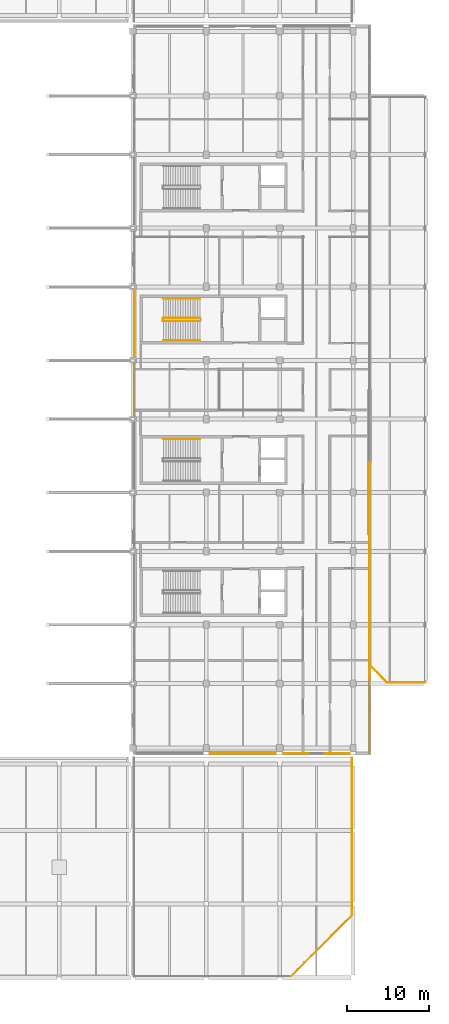
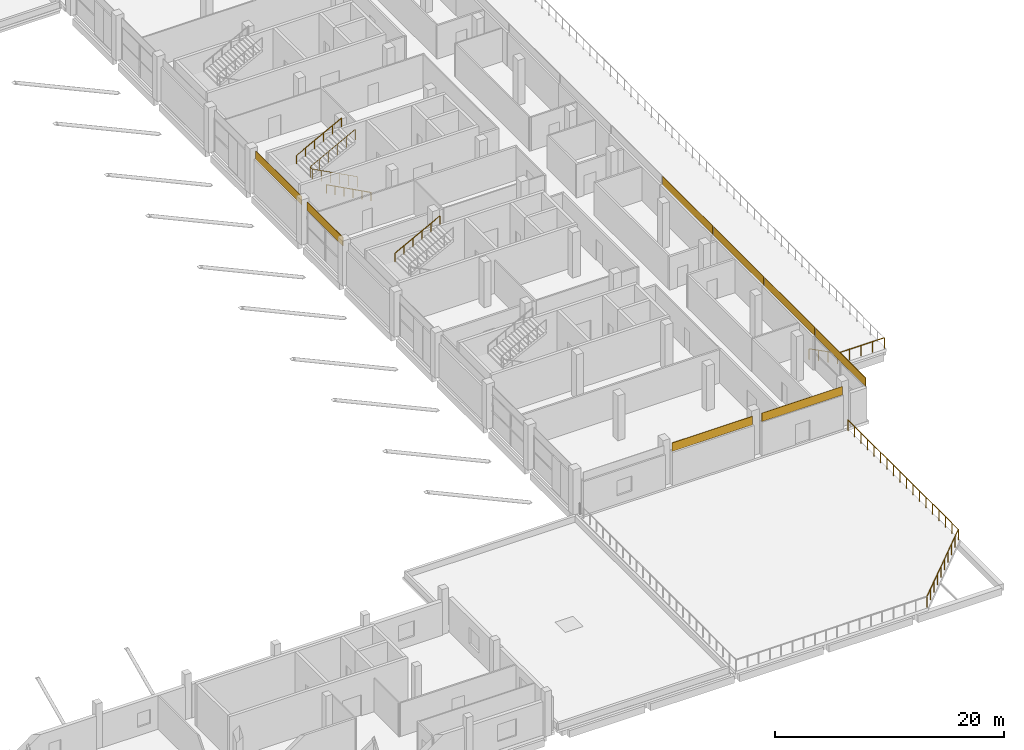
# One storey, part 76 of 82: 8 coverings, 8 railings.
"""IFC4 building model written with IfcOpenShell, lengths in metres."""

from ifc_helpers import new_model, si_unit, direction, frame, origin, origin_2d, place, context, subcontext, project, spatial, rectangle, circle, extrude, material, layer, layer_set, type_object, element, save


model = new_model("IFC4")

# Units and contexts
model_context = context("Model", 3, precision=1e-05, world=origin(), true_north=direction((0.0, 1.0)))
body_context = subcontext(model_context, "Body", "Model", "MODEL_VIEW")
ifc_project = project(units=[si_unit("LENGTHUNIT", "METRE"), si_unit("AREAUNIT", "SQUARE_METRE"), si_unit("VOLUMEUNIT", "CUBIC_METRE"), si_unit("PLANEANGLEUNIT", "RADIAN"), si_unit("MASSUNIT", "GRAM", prefix="KILO"), si_unit("THERMODYNAMICTEMPERATUREUNIT", "KELVIN"), si_unit("POWERUNIT", "WATT")], contexts=[model_context])

# Site, building, storey
site_placement = place(None, origin())
site = spatial("IfcSite", under=ifc_project, at=site_placement, CompositionType="ELEMENT")
building_placement = place(site_placement, origin())
building = spatial("IfcBuilding", under=site, at=building_placement, Name="Sindhuravela Promenade Stadium", CompositionType="ELEMENT")
storey_placement = place(building_placement, frame((0.0, 0.0, 14.39990234375)))
storey = spatial("IfcBuildingStorey", under=building, at=storey_placement, Name="L03", CompositionType="ELEMENT", Elevation=14.39990234375)

# Coverings
ifc_material_1 = material(Name="Polychrome trencadis ceramic mosaic", Category="masonry")
ifc_layer_1 = layer(ifc_material_1, 0.034912109375)
ifc_layer_set_1 = layer_set([ifc_layer_1], Name="Polychrome trencadis ceramic mosaic")
covering_type_1 = type_object("IfcCoveringType", Name="CV-TRENC-1", PredefinedType="CLADDING", material=ifc_layer_set_1)
covering_1_placement = place(storey_placement, frame((180.179931640625, 89.10009765625, 3.55517578125), z_axis=(0.0, 0.0, 1.0), x_axis=(0.0, 1.0, 0.0)))
element("IfcCovering", 1, at=covering_1_placement, inside=storey, type_object=covering_type_1, Name="Trencadis ceramic mosaic spandrel frieze EAST L03-206", PredefinedType="CLADDING", context=body_context, shape_type="SweptSolid", body=[
    extrude(rectangle(XDim=8.070068359375, YDim=0.034912109375, at=origin_2d()), origin(), (0.0, 0.0, 1.0), 0.905029296875),
])
for number, where, z_axis, x_axis, name in (
    (2, (209.02001953125, 67.635009765625, 3.55517578125), (0.0, 0.0, 1.0), (0.0, -1.0, 0.0), "Trencadis ceramic mosaic spandrel frieze EAST L03-220"),
    (3, (209.02001953125, 49.81494140625, 3.55517578125), (0.0, 0.0, 1.0), (0.0, -1.0, 0.0), "Trencadis ceramic mosaic spandrel frieze EAST L03-222"),
):
    element("IfcCovering", number, at=place(storey_placement, frame(where, z_axis=z_axis, x_axis=x_axis)), inside=storey, type_object=covering_type_1, Name=name, PredefinedType="CLADDING", context=body_context, shape_type="SweptSolid", body=[
        extrude(rectangle(XDim=8.7900390625, YDim=0.034912109375, at=origin_2d()), origin(), (0.0, 0.0, 1.0), 0.905029296875),
    ])
covering_2_placement = place(storey_placement, frame((202.52490234375, 36.429931640625, 3.55517578125), z_axis=(0.0, 0.0, 1.0), x_axis=(-1.0, 0.0, 0.0)))
element("IfcCovering", 4, at=covering_2_placement, inside=storey, type_object=covering_type_1, Name="Trencadis ceramic mosaic spandrel frieze EAST L03-224", PredefinedType="CLADDING", context=body_context, shape_type="SweptSolid", body=[
    extrude(rectangle(XDim=8.1201171875, YDim=0.034912109375, at=origin_2d()), origin(), (0.0, 0.0, 1.0), 0.905029296875),
])
ifc_layer_2 = layer(ifc_material_1, 0.050048828125)
ifc_layer_set_2 = layer_set([ifc_layer_2], Name="Polychrome trencadis ceramic mosaic")
covering_type_2 = type_object("IfcCoveringType", Name="CV-TRENC-2", PredefinedType="CLADDING", material=ifc_layer_set_2)
covering_3_placement = place(storey_placement, frame((180.179931640625, 81.0, 3.55517578125), z_axis=(0.0, 0.0, 1.0), x_axis=(0.0, 1.0, 0.0)))
element("IfcCovering", 5, at=covering_3_placement, inside=storey, type_object=covering_type_2, Name="Trencadis ceramic mosaic spandrel frieze EAST L03-205", PredefinedType="CLADDING", context=body_context, shape_type="SweptSolid", body=[
    extrude(rectangle(XDim=6.27001953125, YDim=0.050048828125, at=origin_2d()), origin(), (0.0, 0.0, 1.0), 0.905029296875),
])
for number, where, z_axis, x_axis, name in (
    (6, (209.02001953125, 58.72509765625, 3.55517578125), (0.0, 0.0, 1.0), (0.0, -1.0, 0.0), "Trencadis ceramic mosaic spandrel frieze EAST L03-221"),
    (7, (209.02001953125, 40.905029296875, 3.55517578125), (0.0, 0.0, 1.0), (0.0, -1.0, 0.0), "Trencadis ceramic mosaic spandrel frieze EAST L03-223"),
):
    element("IfcCovering", number, at=place(storey_placement, frame(where, z_axis=z_axis, x_axis=x_axis)), inside=storey, type_object=covering_type_2, Name=name, PredefinedType="CLADDING", context=body_context, shape_type="SweptSolid", body=[
        extrude(rectangle(XDim=8.7900390625, YDim=0.050048828125, at=origin_2d()), origin(), (0.0, 0.0, 1.0), 0.905029296875),
    ])
covering_4_placement = place(storey_placement, frame((193.47509765625, 36.429931640625, 3.55517578125), z_axis=(0.0, 0.0, 1.0), x_axis=(-1.0, 0.0, 0.0)))
element("IfcCovering", 8, at=covering_4_placement, inside=storey, type_object=covering_type_2, Name="Trencadis ceramic mosaic spandrel frieze EAST L03-225", PredefinedType="CLADDING", context=body_context, shape_type="SweptSolid", body=[
    extrude(rectangle(XDim=8.1201171875, YDim=0.050048828125, at=origin_2d()), origin(), (0.0, 0.0, 1.0), 0.905029296875),
])

# Railings
ifc_material_2 = material(Name="Architectural wrought steel E350", Category="steel")
railing_type_1 = type_object("IfcRailingType", Name="RL-BAL-1150", PredefinedType="BALUSTRADE", material=ifc_material_2)
railing_1_placement = place(storey_placement, frame((206.860107421875, 35.860107421875, 0.0)))
element("IfcRailing", 9, at=railing_1_placement, inside=storey, type_object=railing_type_1, Name="Terrace wrought balustrade BL01-18", PredefinedType="BALUSTRADE", context=body_context, shape_type="SweptSolid", body=[
    extrude(circle(Radius=0.02392578125, at=origin_2d()), frame((0.0, 0.0, 1.1259765625), z_axis=(0.0, -1.0, 0.0), x_axis=(1.0, 0.0, 0.0)), (0.0, 0.0, 1.0), 19.2421875),
    extrude(circle(Radius=0.02099609375, at=origin_2d()), origin(), (0.0, 0.0, 1.0), 1.101806640625),
    extrude(circle(Radius=0.02099609375, at=origin_2d()), frame((0.0, -1.1318359375, 0.0)), (0.0, 0.0, 1.0), 1.101806640625),
    extrude(circle(Radius=0.02099609375, at=origin_2d()), frame((0.0, -2.263671875, 0.0)), (0.0, 0.0, 1.0), 1.101806640625),
    extrude(circle(Radius=0.02099609375, at=origin_2d()), frame((0.0, -3.395751953125, 0.0)), (0.0, 0.0, 1.0), 1.101806640625),
    extrude(circle(Radius=0.02099609375, at=origin_2d()), frame((0.0, -4.527587890625, 0.0)), (0.0, 0.0, 1.0), 1.101806640625),
    extrude(circle(Radius=0.02099609375, at=origin_2d()), frame((0.0, -5.659423828125, 0.0)), (0.0, 0.0, 1.0), 1.101806640625),
    extrude(circle(Radius=0.02099609375, at=origin_2d()), frame((0.0, -6.791259765625, 0.0)), (0.0, 0.0, 1.0), 1.101806640625),
    extrude(circle(Radius=0.02099609375, at=origin_2d()), frame((0.0, -7.92333984375, 0.0)), (0.0, 0.0, 1.0), 1.101806640625),
    extrude(circle(Radius=0.02099609375, at=origin_2d()), frame((0.0, -9.05517578125, 0.0)), (0.0, 0.0, 1.0), 1.101806640625),
    extrude(circle(Radius=0.02099609375, at=origin_2d()), frame((0.0, -10.18701171875, 0.0)), (0.0, 0.0, 1.0), 1.101806640625),
    extrude(circle(Radius=0.02099609375, at=origin_2d()), frame((0.0, -11.31884765625, 0.0)), (0.0, 0.0, 1.0), 1.101806640625),
    extrude(circle(Radius=0.02099609375, at=origin_2d()), frame((0.0, -12.450927734375, 0.0)), (0.0, 0.0, 1.0), 1.101806640625),
    extrude(circle(Radius=0.02099609375, at=origin_2d()), frame((0.0, -13.582763671875, 0.0)), (0.0, 0.0, 1.0), 1.101806640625),
    extrude(circle(Radius=0.02099609375, at=origin_2d()), frame((0.0, -14.714599609375, 0.0)), (0.0, 0.0, 1.0), 1.101806640625),
    extrude(circle(Radius=0.02099609375, at=origin_2d()), frame((0.0, -15.846435546875, 0.0)), (0.0, 0.0, 1.0), 1.101806640625),
    extrude(circle(Radius=0.02099609375, at=origin_2d()), frame((0.0, -16.978515625, 0.0)), (0.0, 0.0, 1.0), 1.101806640625),
    extrude(circle(Radius=0.02099609375, at=origin_2d()), frame((0.0, -18.1103515625, 0.0)), (0.0, 0.0, 1.0), 1.101806640625),
    extrude(circle(Radius=0.02099609375, at=origin_2d()), frame((0.0, -19.2421875, 0.0)), (0.0, 0.0, 1.0), 1.101806640625),
])
railing_2_placement = place(storey_placement, frame((206.860107421875, 16.617919921875, 0.0)))
element("IfcRailing", 10, at=railing_2_placement, inside=storey, type_object=railing_type_1, Name="Terrace wrought balustrade BL01-19", PredefinedType="BALUSTRADE", context=body_context, shape_type="SweptSolid", body=[
    extrude(circle(Radius=0.02392578125, at=origin_2d()), frame((0.0, 0.0, 1.1259765625), z_axis=(-0.7071067811865475, -0.7071067811865475, 0.0), x_axis=(0.7071067811865476, -0.7071067811865476, 0.0)), (0.0, 0.0, 1.0), 10.575439453125),
    extrude(circle(Radius=0.02099609375, at=origin_2d()), origin(), (0.0, 0.0, 1.0), 1.101806640625),
    extrude(circle(Radius=0.02099609375, at=origin_2d()), frame((-0.830810546875, -0.830810546875, 0.0)), (0.0, 0.0, 1.0), 1.101806640625),
    extrude(circle(Radius=0.02099609375, at=origin_2d()), frame((-1.661865234375, -1.661865234375, 0.0)), (0.0, 0.0, 1.0), 1.101806640625),
    extrude(circle(Radius=0.02099609375, at=origin_2d()), frame((-2.49267578125, -2.49267578125, 0.0)), (0.0, 0.0, 1.0), 1.101806640625),
    extrude(circle(Radius=0.02099609375, at=origin_2d()), frame((-3.323486328125, -3.323486328125, 0.0)), (0.0, 0.0, 1.0), 1.101806640625),
    extrude(circle(Radius=0.02099609375, at=origin_2d()), frame((-4.154541015625, -4.154541015625, 0.0)), (0.0, 0.0, 1.0), 1.101806640625),
    extrude(circle(Radius=0.02099609375, at=origin_2d()), frame((-4.9853515625, -4.9853515625, 0.0)), (0.0, 0.0, 1.0), 1.101806640625),
    extrude(circle(Radius=0.02099609375, at=origin_2d()), frame((-5.816162109375, -5.816162109375, 0.0)), (0.0, 0.0, 1.0), 1.101806640625),
    extrude(circle(Radius=0.02099609375, at=origin_2d()), frame((-6.647216796875, -6.647216796875, 0.0)), (0.0, 0.0, 1.0), 1.101806640625),
    extrude(circle(Radius=0.02099609375, at=origin_2d()), frame((-7.47802734375, -7.47802734375, 0.0)), (0.0, 0.0, 1.0), 1.101806640625),
])
railing_3_placement = place(storey_placement, frame((211.157958984375, 45.139892578125, 0.0)))
element("IfcRailing", 11, at=railing_3_placement, inside=storey, type_object=railing_type_1, Name="Terrace wrought balustrade BL01-29", PredefinedType="BALUSTRADE", context=body_context, shape_type="SweptSolid", body=[
    extrude(circle(Radius=0.02392578125, at=origin_2d()), frame((0.0, 0.0, 1.1259765625), z_axis=(-0.7070593004560594, 0.7071542587290188, 0.0), x_axis=(-0.7071542587290188, -0.7070593004560594, 0.0)), (0.0, 0.0, 1.0), 2.571044921875),
    extrude(circle(Radius=0.02099609375, at=origin_2d()), origin(), (0.0, 0.0, 1.0), 1.101806640625),
    extrude(circle(Radius=0.02099609375, at=origin_2d()), frame((-0.60595703125, 0.60595703125, 0.0)), (0.0, 0.0, 1.0), 1.101806640625),
    extrude(circle(Radius=0.02099609375, at=origin_2d()), frame((-1.2119140625, 1.212158203125, 0.0)), (0.0, 0.0, 1.0), 1.101806640625),
    extrude(circle(Radius=0.02099609375, at=origin_2d()), frame((-1.81787109375, 1.818115234375, 0.0)), (0.0, 0.0, 1.0), 1.101806640625),
])
railing_4_placement = place(storey_placement, frame((215.860107421875, 45.139892578125, 0.0)))
element("IfcRailing", 12, at=railing_4_placement, inside=storey, type_object=railing_type_1, Name="Terrace wrought balustrade BL01-32", PredefinedType="BALUSTRADE", context=body_context, shape_type="SweptSolid", body=[
    extrude(circle(Radius=0.02392578125, at=origin_2d()), frame((0.0, 0.0, 1.1259765625), z_axis=(-1.0, 0.0, 0.0), x_axis=(0.0, -1.0, 0.0)), (0.0, 0.0, 1.0), 4.7021484375),
    extrude(circle(Radius=0.02099609375, at=origin_2d()), origin(), (0.0, 0.0, 1.0), 1.101806640625),
    extrude(circle(Radius=0.02099609375, at=origin_2d()), frame((-1.175537109375, 0.0, 0.0)), (0.0, 0.0, 1.0), 1.101806640625),
    extrude(circle(Radius=0.02099609375, at=origin_2d()), frame((-2.35107421875, 0.0, 0.0)), (0.0, 0.0, 1.0), 1.101806640625),
    extrude(circle(Radius=0.02099609375, at=origin_2d()), frame((-3.526611328125, 0.0, 0.0)), (0.0, 0.0, 1.0), 1.101806640625),
    extrude(circle(Radius=0.02099609375, at=origin_2d()), frame((-4.7021484375, 0.0, 0.0)), (0.0, 0.0, 1.0), 1.101806640625),
])
railing_type_2 = type_object("IfcRailingType", Name="RL-GRD-1150", PredefinedType="GUARDRAIL", material=ifc_material_2)
railing_5_placement = place(storey_placement, frame((188.25, 89.409912109375, 0.0)))
element("IfcRailing", 13, at=railing_5_placement, inside=storey, type_object=railing_type_2, Name="Stair ST07 inner well guard (L03)", PredefinedType="GUARDRAIL", context=body_context, shape_type="SweptSolid", body=[
    extrude(circle(Radius=0.02392578125, at=origin_2d()), frame((0.0, 0.0, 1.1259765625), z_axis=(-0.8836349624059475, 0.0, 0.46817651928929505), x_axis=(0.0, -1.0, 0.0)), (0.0, 0.0, 1.0), 5.12646484375),
    extrude(circle(Radius=0.02392578125, at=origin_2d()), frame((-4.530029296875, 0.0, 3.52587890625), z_axis=(0.0, 1.0, 0.0), x_axis=(-1.0, 0.0, 0.0)), (0.0, 0.0, 1.0), 0.380126953125),
    extrude(circle(Radius=0.02392578125, at=origin_2d()), frame((-4.530029296875, 0.380126953125, 3.52587890625), z_axis=(0.8836546633431795, 0.0, 0.46813933390802775), x_axis=(0.0, 1.0, 0.0)), (0.0, 0.0, 1.0), 5.12646484375),
    extrude(circle(Radius=0.02099609375, at=origin_2d()), origin(), (0.0, 0.0, 1.0), 1.101806640625),
    extrude(circle(Radius=0.02099609375, at=origin_2d()), frame((-0.906005859375, 0.0, 0.47998046875)), (0.0, 0.0, 1.0), 1.101806640625),
    extrude(circle(Radius=0.02099609375, at=origin_2d()), frame((-1.81201171875, 0.0, 0.9599609375)), (0.0, 0.0, 1.0), 1.101806640625),
    extrude(circle(Radius=0.02099609375, at=origin_2d()), frame((-2.718017578125, 0.0, 1.440185546875)), (0.0, 0.0, 1.0), 1.101806640625),
    extrude(circle(Radius=0.02099609375, at=origin_2d()), frame((-3.6240234375, 0.0, 1.920166015625)), (0.0, 0.0, 1.0), 1.101806640625),
    extrude(circle(Radius=0.02099609375, at=origin_2d()), frame((-4.530029296875, 0.0, 2.400146484375)), (0.0, 0.0, 1.0), 1.101806640625),
    extrude(circle(Radius=0.02099609375, at=origin_2d()), frame((-4.530029296875, 0.380126953125, 2.400146484375)), (0.0, 0.0, 1.0), 1.101806640625),
    extrude(circle(Radius=0.02099609375, at=origin_2d()), frame((-3.6240234375, 0.380126953125, 2.880126953125)), (0.0, 0.0, 1.0), 1.101806640625),
    extrude(circle(Radius=0.02099609375, at=origin_2d()), frame((-2.718017578125, 0.380126953125, 3.360107421875)), (0.0, 0.0, 1.0), 1.101806640625),
    extrude(circle(Radius=0.02099609375, at=origin_2d()), frame((-1.81201171875, 0.380126953125, 3.840087890625)), (0.0, 0.0, 1.0), 1.101806640625),
    extrude(circle(Radius=0.02099609375, at=origin_2d()), frame((-0.906005859375, 0.380126953125, 4.320068359375)), (0.0, 0.0, 1.0), 1.101806640625),
    extrude(circle(Radius=0.02099609375, at=origin_2d()), frame((0.0, 0.380126953125, 4.800048828125)), (0.0, 0.0, 1.0), 1.101806640625),
])
railing_type_3 = type_object("IfcRailingType", Name="RL-HND-920", PredefinedType="HANDRAIL", material=ifc_material_2)
railing_6_placement = place(storey_placement, frame((183.75, 74.97998046875, 2.400146484375)))
element("IfcRailing", 14, at=railing_6_placement, inside=storey, type_object=railing_type_3, Name="Stair ST06 upper wall handrail (L03)", PredefinedType="HANDRAIL", context=body_context, shape_type="SweptSolid", body=[
    extrude(circle(Radius=0.02392578125, at=origin_2d()), frame((0.0, 0.0, 0.89599609375), z_axis=(0.8823608919668723, 0.0, 0.4705733272588083), x_axis=(0.0, 1.0, 0.0)), (0.0, 0.0, 1.0), 5.099853515625),
    extrude(circle(Radius=0.02099609375, at=origin_2d()), origin(), (0.0, 0.0, 1.0), 0.871826171875),
    extrude(circle(Radius=0.02099609375, at=origin_2d()), frame((0.89990234375, 0.0, 0.47998046875)), (0.0, 0.0, 1.0), 0.871826171875),
    extrude(circle(Radius=0.02099609375, at=origin_2d()), frame((1.800048828125, 0.0, 0.9599609375)), (0.0, 0.0, 1.0), 0.871826171875),
    extrude(circle(Radius=0.02099609375, at=origin_2d()), frame((2.699951171875, 0.0, 1.43994140625)), (0.0, 0.0, 1.0), 0.871826171875),
    extrude(circle(Radius=0.02099609375, at=origin_2d()), frame((3.60009765625, 0.0, 1.919921875)), (0.0, 0.0, 1.0), 0.871826171875),
    extrude(circle(Radius=0.02099609375, at=origin_2d()), frame((4.5, 0.0, 2.39990234375)), (0.0, 0.0, 1.0), 0.871826171875),
])
railing_7_placement = place(storey_placement, frame((188.25, 87.02001953125, 0.0)))
element("IfcRailing", 15, at=railing_7_placement, inside=storey, type_object=railing_type_3, Name="Stair ST07 lower wall handrail (L03)", PredefinedType="HANDRAIL", context=body_context, shape_type="SweptSolid", body=[
    extrude(circle(Radius=0.02392578125, at=origin_2d()), frame((0.0, 0.0, 0.89599609375), z_axis=(-0.8823410147872734, 0.0, 0.47061059659145427), x_axis=(0.0, -1.0, 0.0)), (0.0, 0.0, 1.0), 5.10009765625),
    extrude(circle(Radius=0.02099609375, at=origin_2d()), origin(), (0.0, 0.0, 1.0), 0.871826171875),
    extrude(circle(Radius=0.02099609375, at=origin_2d()), frame((-0.89990234375, 0.0, 0.47998046875)), (0.0, 0.0, 1.0), 0.871826171875),
    extrude(circle(Radius=0.02099609375, at=origin_2d()), frame((-1.800048828125, 0.0, 0.9599609375)), (0.0, 0.0, 1.0), 0.871826171875),
    extrude(circle(Radius=0.02099609375, at=origin_2d()), frame((-2.699951171875, 0.0, 1.440185546875)), (0.0, 0.0, 1.0), 0.871826171875),
    extrude(circle(Radius=0.02099609375, at=origin_2d()), frame((-3.60009765625, 0.0, 1.920166015625)), (0.0, 0.0, 1.0), 0.871826171875),
    extrude(circle(Radius=0.02099609375, at=origin_2d()), frame((-4.5, 0.0, 2.400146484375)), (0.0, 0.0, 1.0), 0.871826171875),
])
railing_8_placement = place(storey_placement, frame((183.75, 92.179931640625, 2.400146484375)))
element("IfcRailing", 16, at=railing_8_placement, inside=storey, type_object=railing_type_3, Name="Stair ST07 upper wall handrail (L03)", PredefinedType="HANDRAIL", context=body_context, shape_type="SweptSolid", body=[
    extrude(circle(Radius=0.02392578125, at=origin_2d()), frame((0.0, 0.0, 0.89599609375), z_axis=(0.8823608919668723, 0.0, 0.4705733272588083), x_axis=(0.0, 1.0, 0.0)), (0.0, 0.0, 1.0), 5.099853515625),
    extrude(circle(Radius=0.02099609375, at=origin_2d()), origin(), (0.0, 0.0, 1.0), 0.871826171875),
    extrude(circle(Radius=0.02099609375, at=origin_2d()), frame((0.89990234375, 0.0, 0.47998046875)), (0.0, 0.0, 1.0), 0.871826171875),
    extrude(circle(Radius=0.02099609375, at=origin_2d()), frame((1.800048828125, 0.0, 0.9599609375)), (0.0, 0.0, 1.0), 0.871826171875),
    extrude(circle(Radius=0.02099609375, at=origin_2d()), frame((2.699951171875, 0.0, 1.43994140625)), (0.0, 0.0, 1.0), 0.871826171875),
    extrude(circle(Radius=0.02099609375, at=origin_2d()), frame((3.60009765625, 0.0, 1.919921875)), (0.0, 0.0, 1.0), 0.871826171875),
    extrude(circle(Radius=0.02099609375, at=origin_2d()), frame((4.5, 0.0, 2.39990234375)), (0.0, 0.0, 1.0), 0.871826171875),
])

save(model, "model.ifc")
